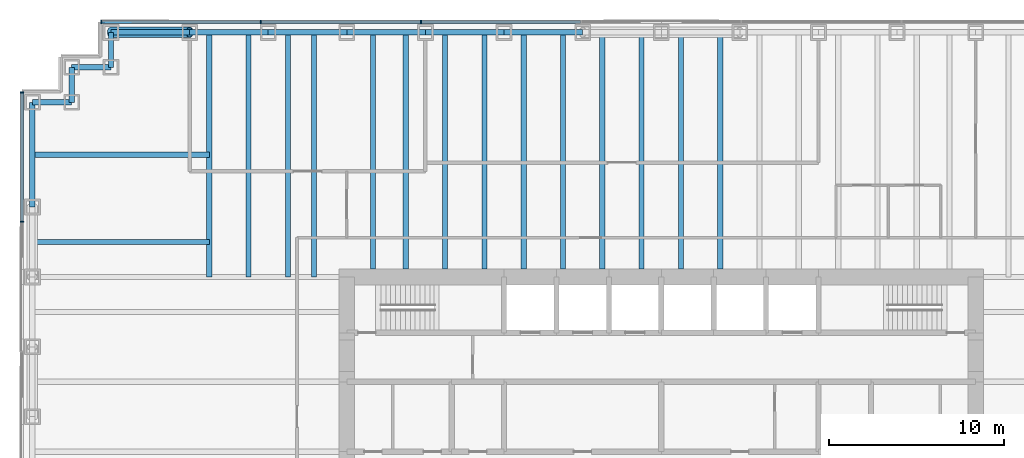
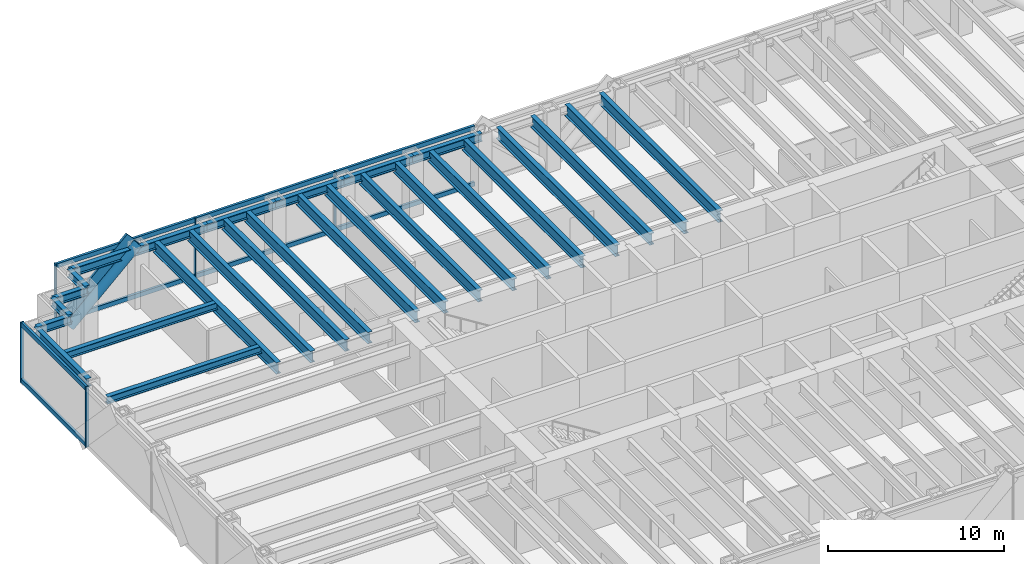
# One storey, part 6 of 15: 27 beams, 15 members, 2 elements without a shape of their own.
"""IFC4 building model written with IfcOpenShell, lengths in metres."""

from ifc_helpers import new_model, si_unit, direction, frame, origin, origin_2d, place, context, subcontext, project, spatial, rectangle, hollow_circle, i_section, extrude, material, material_profile, profile_set, type_object, element, aggregate, save


model = new_model("IFC4")

# Units and contexts
model_context = context("Model", 3, precision=1e-05, world=origin(), true_north=direction((0.0, 1.0)))
body_context = subcontext(model_context, "Body", "Model", "MODEL_VIEW")
ifc_project = project(units=[si_unit("LENGTHUNIT", "METRE"), si_unit("AREAUNIT", "SQUARE_METRE"), si_unit("VOLUMEUNIT", "CUBIC_METRE"), si_unit("PLANEANGLEUNIT", "RADIAN"), si_unit("MASSUNIT", "GRAM", prefix="KILO")], contexts=[model_context])

# Site, building, storey
site_placement = place(None, origin())
site = spatial("IfcSite", under=ifc_project, at=site_placement, CompositionType="ELEMENT")
building_placement = place(site_placement, origin())
building = spatial("IfcBuilding", under=site, at=building_placement, Name="Rheinbord Bourse Tower", CompositionType="ELEMENT")
storey_placement = place(building_placement, frame((0.0, 0.0, 125.699951171875)))
storey = spatial("IfcBuildingStorey", under=building, at=storey_placement, Name="L27", CompositionType="ELEMENT", Elevation=125.699951171875)

# Curtain wall, members
ifc_material_1 = material(Name="Dark glass and black aluminium", Category="aluminium")
curtain_wall_type = type_object("IfcCurtainWallType", Name="CW2 DARK GLASS CURTAIN WALL", PredefinedType="USERDEFINED", material=ifc_material_1)
curtain_wall_1_placement = place(storey_placement, origin())
curtain_wall_1 = element("IfcCurtainWall", 1, at=curtain_wall_1_placement, inside=storey, type_object=curtain_wall_type, Name="Curtain wall CW2 N L27", ObjectType="UNITISED CURTAIN WALL", PredefinedType="USERDEFINED")
ifc_material_2 = material(Name="Black anodised aluminium", Category="aluminium")
ifc_material_profile_1 = material_profile(ifc_material_2, rectangle(XDim=0.159912109375, YDim=1.2099609375, at=origin_2d()), Name="CW2 DIAGONAL MULLION 1210x160")
ifc_profile_set_1 = profile_set([ifc_material_profile_1], Name="Black anodised aluminium")
member_type_1 = type_object("IfcMemberType", Name="CW2 BLACK DIAGONAL MULLION", PredefinedType="USERDEFINED", material=ifc_profile_set_1)
member_1_placement = place(storey_placement, frame((4.5, 46.60009765625, 0.0), z_axis=(0.73105922506, 0.0, 0.682314010889), x_axis=(0.0, 1.0, 0.0)))
member_1 = element("IfcMember", 2, at=member_1_placement, type_object=member_type_1, Name="CW2 diagonal mullion a", ObjectType="DIAGONAL MULLION", PredefinedType="USERDEFINED", context=body_context, shape_type="SweptSolid", body=[
    extrude(rectangle(XDim=0.159912109375, YDim=1.2099609375, at=origin_2d()), origin(), (0.0, 0.0, 1.0), 6.155517578125),
])
ifc_material_3 = material(Name="Black anodised aluminium", Category="aluminium")
ifc_material_profile_2 = material_profile(ifc_material_3, rectangle(XDim=0.219970703125, YDim=0.070068359375, at=origin_2d()), Name="CW2 MULLION 70x220")
ifc_profile_set_2 = profile_set([ifc_material_profile_2], Name="Black anodised aluminium")
member_type_2 = type_object("IfcMemberType", Name="CW2 BLACK MULLION", PredefinedType="MULLION", material=ifc_profile_set_2)
member_2_placement = place(storey_placement, frame((22.242919921875, 46.60009765625, 0.0), z_axis=(0.0, 0.0, 1.0), x_axis=(0.0, -1.0, 0.0)))
member_2 = element("IfcMember", 3, at=member_2_placement, type_object=member_type_2, Name="CW2 mullion 6", PredefinedType="MULLION", context=body_context, shape_type="SweptSolid", body=[
    extrude(rectangle(XDim=0.219970703125, YDim=0.070068359375, at=origin_2d()), origin(), (0.0, 0.0, 1.0), 4.199951171875),
])
member_3_placement = place(storey_placement, frame((13.071533203125, 46.60009765625, 0.0), z_axis=(0.0, 0.0, 1.0), x_axis=(0.0, -1.0, 0.0)))
member_3 = element("IfcMember", 4, at=member_3_placement, type_object=member_type_2, Name="CW2 mullion 7", PredefinedType="MULLION", context=body_context, shape_type="SweptSolid", body=[
    extrude(rectangle(XDim=0.219970703125, YDim=0.070068359375, at=origin_2d()), origin(), (0.0, 0.0, 1.0), 4.199951171875),
])
member_4_placement = place(storey_placement, frame((3.93505859375, 46.60009765625, 0.0), z_axis=(0.0, 0.0, 1.0), x_axis=(0.0, -1.0, 0.0)))
member_4 = element("IfcMember", 5, at=member_4_placement, type_object=member_type_2, Name="CW2 mullion 8", PredefinedType="MULLION", context=body_context, shape_type="SweptSolid", body=[
    extrude(rectangle(XDim=0.219970703125, YDim=0.070068359375, at=origin_2d()), origin(), (0.0, 0.0, 1.0), 4.199951171875),
])

curtain_wall_2_placement = place(storey_placement, origin())
curtain_wall_2 = element("IfcCurtainWall", 6, at=curtain_wall_2_placement, inside=storey, type_object=curtain_wall_type, Name="Curtain wall CW2 W L27", ObjectType="UNITISED CURTAIN WALL", PredefinedType="USERDEFINED")
member_5_placement = place(storey_placement, frame((-0.60009765625, 42.56494140625, 0.0), z_axis=(0.0, 0.0, 1.0), x_axis=(1.0, 0.0, 0.0)))
member_5 = element("IfcMember", 7, at=member_5_placement, type_object=member_type_2, Name="CW2 mullion 1", PredefinedType="MULLION", context=body_context, shape_type="SweptSolid", body=[
    extrude(rectangle(XDim=0.219970703125, YDim=0.070068359375, at=origin_2d()), origin(), (0.0, 0.0, 1.0), 4.199951171875),
])
member_6_placement = place(storey_placement, frame((-0.60009765625, 35.159912109375, 0.0), z_axis=(0.0, 0.0, 1.0), x_axis=(1.0, 0.0, 0.0)))
member_6 = element("IfcMember", 8, at=member_6_placement, type_object=member_type_2, Name="CW2 mullion 2", PredefinedType="MULLION", context=body_context, shape_type="SweptSolid", body=[
    extrude(rectangle(XDim=0.219970703125, YDim=0.070068359375, at=origin_2d()), origin(), (0.0, 0.0, 1.0), 4.199951171875),
])

# Member
ifc_material_4 = material(Name="Black anodised aluminium", Category="aluminium")
ifc_material_profile_3 = material_profile(ifc_material_4, rectangle(XDim=0.159912109375, YDim=0.300048828125, at=origin_2d()), Name="CW2 TRANSOM 300x160")
ifc_profile_set_3 = profile_set([ifc_material_profile_3], Name="Black anodised aluminium")
member_type_3 = type_object("IfcMemberType", Name="CW2 BLACK TRANSOM", PredefinedType="USERDEFINED", material=ifc_profile_set_3)
member_7_placement = place(storey_placement, frame((31.37939453125, 46.60009765625, 0.150146484375), z_axis=(-1.0, 0.0, 0.0), x_axis=(0.0, -1.0, 0.0)))
member_7 = element("IfcMember", 9, at=member_7_placement, type_object=member_type_3, Name="CW2 transom 5.1", ObjectType="TRANSOM", PredefinedType="USERDEFINED", context=body_context, shape_type="SweptSolid", body=[
    extrude(rectangle(XDim=0.159912109375, YDim=0.300048828125, at=origin_2d()), origin(), (0.0, 0.0, 1.0), 9.1015625),
])

member_8_placement = place(storey_placement, frame((31.37939453125, 46.60009765625, 4.050048828125), z_axis=(-1.0, 0.0, 0.0), x_axis=(0.0, -1.0, 0.0)))
member_8 = element("IfcMember", 10, at=member_8_placement, type_object=member_type_3, Name="CW2 transom 5.2", ObjectType="TRANSOM", PredefinedType="USERDEFINED", context=body_context, shape_type="SweptSolid", body=[
    extrude(rectangle(XDim=0.159912109375, YDim=0.300048828125, at=origin_2d()), origin(), (0.0, 0.0, 1.0), 9.1015625),
])

member_9_placement = place(storey_placement, frame((22.207763671875, 46.60009765625, 0.150146484375), z_axis=(-1.0, 0.0, 0.0), x_axis=(0.0, -1.0, 0.0)))
member_9 = element("IfcMember", 11, at=member_9_placement, type_object=member_type_3, Name="CW2 transom 6.1", ObjectType="TRANSOM", PredefinedType="USERDEFINED", context=body_context, shape_type="SweptSolid", body=[
    extrude(rectangle(XDim=0.159912109375, YDim=0.300048828125, at=origin_2d()), origin(), (0.0, 0.0, 1.0), 9.101318359375),
])

member_10_placement = place(storey_placement, frame((22.207763671875, 46.60009765625, 4.050048828125), z_axis=(-1.0, 0.0, 0.0), x_axis=(0.0, -1.0, 0.0)))
member_10 = element("IfcMember", 12, at=member_10_placement, type_object=member_type_3, Name="CW2 transom 6.2", ObjectType="TRANSOM", PredefinedType="USERDEFINED", context=body_context, shape_type="SweptSolid", body=[
    extrude(rectangle(XDim=0.159912109375, YDim=0.300048828125, at=origin_2d()), origin(), (0.0, 0.0, 1.0), 9.101318359375),
])

member_11_placement = place(storey_placement, frame((13.036376953125, 46.60009765625, 0.150146484375), z_axis=(-1.0, 0.0, 0.0), x_axis=(0.0, -1.0, 0.0)))
member_11 = element("IfcMember", 13, at=member_11_placement, type_object=member_type_3, Name="CW2 transom 7.1", ObjectType="TRANSOM", PredefinedType="USERDEFINED", context=body_context, shape_type="SweptSolid", body=[
    extrude(rectangle(XDim=0.159912109375, YDim=0.300048828125, at=origin_2d()), origin(), (0.0, 0.0, 1.0), 9.06640625),
])

member_12_placement = place(storey_placement, frame((13.036376953125, 46.60009765625, 4.050048828125), z_axis=(-1.0, 0.0, 0.0), x_axis=(0.0, -1.0, 0.0)))
member_12 = element("IfcMember", 14, at=member_12_placement, type_object=member_type_3, Name="CW2 transom 7.2", ObjectType="TRANSOM", PredefinedType="USERDEFINED", context=body_context, shape_type="SweptSolid", body=[
    extrude(rectangle(XDim=0.159912109375, YDim=0.300048828125, at=origin_2d()), origin(), (0.0, 0.0, 1.0), 9.06640625),
])

aggregate(curtain_wall_1, [member_2, member_3, member_4, member_7, member_8, member_9, member_10, member_11, member_12, member_1])

member_13_placement = place(storey_placement, frame((-0.60009765625, 42.530029296875, 0.150146484375), z_axis=(0.0, -1.0, 0.0), x_axis=(1.0, 0.0, 0.0)))
member_13 = element("IfcMember", 15, at=member_13_placement, type_object=member_type_3, Name="CW2 transom 1.1", ObjectType="TRANSOM", PredefinedType="USERDEFINED", context=body_context, shape_type="SweptSolid", body=[
    extrude(rectangle(XDim=0.159912109375, YDim=0.300048828125, at=origin_2d()), origin(), (0.0, 0.0, 1.0), 7.3349609375),
])

member_14_placement = place(storey_placement, frame((-0.60009765625, 42.530029296875, 4.050048828125), z_axis=(0.0, -1.0, 0.0), x_axis=(1.0, 0.0, 0.0)))
member_14 = element("IfcMember", 16, at=member_14_placement, type_object=member_type_3, Name="CW2 transom 1.2", ObjectType="TRANSOM", PredefinedType="USERDEFINED", context=body_context, shape_type="SweptSolid", body=[
    extrude(rectangle(XDim=0.159912109375, YDim=0.300048828125, at=origin_2d()), origin(), (0.0, 0.0, 1.0), 7.3349609375),
])

aggregate(curtain_wall_2, [member_5, member_6, member_13, member_14])

# Beams
ifc_material_5 = material(Name="Steel S460", Category="steel")
ifc_material_profile_4 = material_profile(ifc_material_5, i_section(OverallWidth=0.300048828125, OverallDepth=0.800048828125, WebThickness=0.017578125, FlangeThickness=0.032958984375, at=origin_2d()), Name="HEB 800")
ifc_profile_set_4 = profile_set([ifc_material_profile_4], Name="Steel S460")
beam_type_1 = type_object("IfcBeamType", Name="FLOOR BEAM HEB 800", PredefinedType="BEAM", material=ifc_profile_set_4)
for number, where, z_axis, x_axis, name in (
    (17, (10.125, 46.0, 3.64013671875), (0.0, -1.0, 0.0), (1.0, 0.0, 0.0), "Floor beam N-9a L28"),
    (18, (12.375, 46.0, 3.64013671875), (0.0, -1.0, 0.0), (1.0, 0.0, 0.0), "Floor beam N-9b L28"),
    (19, (14.625, 46.0, 3.64013671875), (0.0, -1.0, 0.0), (1.0, 0.0, 0.0), "Floor beam N-13.5a L28"),
    (20, (16.125, 46.0, 3.64013671875), (0.0, -1.0, 0.0), (1.0, 0.0, 0.0), "Floor beam N-13.5b L28"),
):
    element("IfcBeam", number, at=place(storey_placement, frame(where, z_axis=z_axis, x_axis=x_axis)), inside=storey, type_object=beam_type_1, Name=name, PredefinedType="BEAM", context=body_context, shape_type="SweptSolid", body=[
        extrude(i_section(OverallWidth=0.300048828125, OverallDepth=0.800048828125, WebThickness=0.017578125, FlangeThickness=0.032958984375, at=origin_2d()), origin(), (0.0, 0.0, 1.0), 14.0),
    ])
for number, where, z_axis, x_axis, name in (
    (21, (19.5, 46.0, 3.64013671875), (0.0, -1.0, 0.0), (1.0, 0.0, 0.0), "Floor beam N-18a L28"),
    (22, (21.375, 46.0, 3.64013671875), (0.0, -1.0, 0.0), (1.0, 0.0, 0.0), "Floor beam N-18b L28"),
    (23, (23.625, 46.0, 3.64013671875), (0.0, -1.0, 0.0), (1.0, 0.0, 0.0), "Floor beam N-22.5a L28"),
    (24, (25.875, 46.0, 3.64013671875), (0.0, -1.0, 0.0), (1.0, 0.0, 0.0), "Floor beam N-22.5b L28"),
    (25, (28.125, 46.0, 3.64013671875), (0.0, -1.0, 0.0), (1.0, 0.0, 0.0), "Floor beam N-27a L28"),
    (26, (30.375, 46.0, 3.64013671875), (0.0, -1.0, 0.0), (1.0, 0.0, 0.0), "Floor beam N-27b L28"),
    (27, (32.625, 46.0, 3.64013671875), (0.0, -1.0, 0.0), (1.0, 0.0, 0.0), "Floor beam N-31.5a L28"),
    (28, (34.875, 46.0, 3.64013671875), (0.0, -1.0, 0.0), (1.0, 0.0, 0.0), "Floor beam N-31.5b L28"),
    (29, (37.125, 46.0, 3.64013671875), (0.0, -1.0, 0.0), (1.0, 0.0, 0.0), "Floor beam N-36a L28"),
    (30, (39.375, 46.0, 3.64013671875), (0.0, -1.0, 0.0), (1.0, 0.0, 0.0), "Floor beam N-36b L28"),
):
    element("IfcBeam", number, at=place(storey_placement, frame(where, z_axis=z_axis, x_axis=x_axis)), inside=storey, type_object=beam_type_1, Name=name, PredefinedType="BEAM", context=body_context, shape_type="SweptSolid", body=[
        extrude(i_section(OverallWidth=0.300048828125, OverallDepth=0.800048828125, WebThickness=0.017578125, FlangeThickness=0.032958984375, at=origin_2d()), origin(), (0.0, 0.0, 1.0), 13.550048828125),
    ])

# Member
ifc_material_6 = material(Name="Steel S460", Category="steel")
ifc_material_profile_5 = material_profile(ifc_material_6, hollow_circle(Radius=0.304931640625, WallThickness=0.0400390625, at=origin_2d()), Name="CHS 610x40")
ifc_profile_set_5 = profile_set([ifc_material_profile_5], Name="Steel S460")
member_type_4 = type_object("IfcMemberType", Name="MEGABRACE CHS 610x40", PredefinedType="BRACE", material=ifc_profile_set_5)
member_15_placement = place(storey_placement, frame((4.5, 46.0, 0.0), z_axis=(0.73105922506, 0.0, 0.682314010889), x_axis=(0.0, 1.0, 0.0)))
element("IfcMember", 31, at=member_15_placement, inside=storey, type_object=member_type_4, Name="Megabrace N face line a L27", PredefinedType="BRACE", context=body_context, shape_type="SweptSolid", body=[
    extrude(hollow_circle(Radius=0.304931640625, WallThickness=0.0400390625, at=origin_2d()), origin(), (0.0, 0.0, 1.0), 6.155517578125),
])

# Beams
ifc_material_7 = material(Name="Steel S460", Category="steel")
ifc_material_profile_6 = material_profile(ifc_material_7, i_section(OverallWidth=0.305908203125, OverallDepth=0.572021484375, WebThickness=0.02099609375, FlangeThickness=0.0400390625, at=origin_2d()), Name="HEM 550")
ifc_profile_set_6 = profile_set([ifc_material_profile_6], Name="Steel S460")
beam_type_2 = type_object("IfcBeamType", Name="SPANDREL HEM 550", PredefinedType="SPANDREL", material=ifc_profile_set_6)
for number, where, z_axis, x_axis, name in (
    (32, (31.5, 46.0, 3.754150390625), (-1.0, 0.0, 0.0), (0.0, -1.0, 0.0), "Spandrel N-31.5-N-27 under L28"),
    (33, (27.0, 46.0, 3.754150390625), (-1.0, 0.0, 0.0), (0.0, -1.0, 0.0), "Spandrel N-27-N-22.5 under L28"),
    (34, (22.5, 46.0, 3.754150390625), (-1.0, 0.0, 0.0), (0.0, -1.0, 0.0), "Spandrel N-22.5-N-18 under L28"),
    (35, (18.0, 46.0, 3.754150390625), (-1.0, 0.0, 0.0), (0.0, -1.0, 0.0), "Spandrel N-18-N-13.5 under L28"),
    (36, (13.5, 46.0, 3.754150390625), (-1.0, 0.0, 0.0), (0.0, -1.0, 0.0), "Spandrel N-13.5-N-9 under L28"),
    (37, (9.0, 46.0, 3.754150390625), (-1.0, 0.0, 0.0), (0.0, -1.0, 0.0), "Spandrel N-9-NW-E under L28"),
):
    element("IfcBeam", number, at=place(storey_placement, frame(where, z_axis=z_axis, x_axis=x_axis)), inside=storey, type_object=beam_type_2, Name=name, PredefinedType="SPANDREL", context=body_context, shape_type="SweptSolid", body=[
        extrude(i_section(OverallWidth=0.305908203125, OverallDepth=0.572021484375, WebThickness=0.02099609375, FlangeThickness=0.0400390625, at=origin_2d()), origin(), (0.0, 0.0, 1.0), 4.5),
    ])
beam_1_placement = place(storey_placement, frame((4.5, 46.0, 3.754150390625), z_axis=(0.0, -1.0, 0.0), x_axis=(1.0, 0.0, 0.0)))
element("IfcBeam", 38, at=beam_1_placement, inside=storey, type_object=beam_type_2, Name="Spandrel NW-E-NW-D under L28", PredefinedType="SPANDREL", context=body_context, shape_type="SweptSolid", body=[
    extrude(i_section(OverallWidth=0.305908203125, OverallDepth=0.572021484375, WebThickness=0.02099609375, FlangeThickness=0.0400390625, at=origin_2d()), origin(), (0.0, 0.0, 1.0), 2.0),
])
beam_2_placement = place(storey_placement, frame((4.5, 44.0, 3.754150390625), z_axis=(-1.0, 0.0, 0.0), x_axis=(0.0, -1.0, 0.0)))
element("IfcBeam", 39, at=beam_2_placement, inside=storey, type_object=beam_type_2, Name="Spandrel NW-D-NW-C under L28", PredefinedType="SPANDREL", context=body_context, shape_type="SweptSolid", body=[
    extrude(i_section(OverallWidth=0.305908203125, OverallDepth=0.572021484375, WebThickness=0.02099609375, FlangeThickness=0.0400390625, at=origin_2d()), origin(), (0.0, 0.0, 1.0), 2.25),
])
beam_3_placement = place(storey_placement, frame((2.25, 44.0, 3.754150390625), z_axis=(0.0, -1.0, 0.0), x_axis=(1.0, 0.0, 0.0)))
element("IfcBeam", 40, at=beam_3_placement, inside=storey, type_object=beam_type_2, Name="Spandrel NW-C-NW-B under L28", PredefinedType="SPANDREL", context=body_context, shape_type="SweptSolid", body=[
    extrude(i_section(OverallWidth=0.305908203125, OverallDepth=0.572021484375, WebThickness=0.02099609375, FlangeThickness=0.0400390625, at=origin_2d()), origin(), (0.0, 0.0, 1.0), 2.0),
])
beam_4_placement = place(storey_placement, frame((2.25, 42.0, 3.754150390625), z_axis=(-1.0, 0.0, 0.0), x_axis=(0.0, -1.0, 0.0)))
element("IfcBeam", 41, at=beam_4_placement, inside=storey, type_object=beam_type_2, Name="Spandrel NW-B-NW-A under L28", PredefinedType="SPANDREL", context=body_context, shape_type="SweptSolid", body=[
    extrude(i_section(OverallWidth=0.305908203125, OverallDepth=0.572021484375, WebThickness=0.02099609375, FlangeThickness=0.0400390625, at=origin_2d()), origin(), (0.0, 0.0, 1.0), 2.25),
])
beam_5_placement = place(storey_placement, frame((0.0, 42.0, 3.754150390625), z_axis=(0.0, -1.0, 0.0), x_axis=(1.0, 0.0, 0.0)))
element("IfcBeam", 42, at=beam_5_placement, inside=storey, type_object=beam_type_2, Name="Spandrel NW-A-W-36 under L28", PredefinedType="SPANDREL", context=body_context, shape_type="SweptSolid", body=[
    extrude(i_section(OverallWidth=0.305908203125, OverallDepth=0.572021484375, WebThickness=0.02099609375, FlangeThickness=0.0400390625, at=origin_2d()), origin(), (0.0, 0.0, 1.0), 6.0),
])
ifc_material_8 = material(Name="Steel S460", Category="steel")
ifc_material_profile_7 = material_profile(ifc_material_8, i_section(OverallWidth=0.300048828125, OverallDepth=0.5, WebThickness=0.014404296875, FlangeThickness=0.028076171875, at=origin_2d()), Name="HEB 500")
ifc_profile_set_7 = profile_set([ifc_material_profile_7], Name="Steel S460")
beam_type_3 = type_object("IfcBeamType", Name="TIE BEAM HEB 500", PredefinedType="JOIST", material=ifc_profile_set_7)
for number, where, z_axis, x_axis, name in (
    (43, (0.0, 34.0, 3.7900390625), (1.0, 0.0, 0.0), (0.0, 1.0, 0.0), "Tie west 34 L28"),
    (44, (0.0, 39.0, 3.7900390625), (1.0, 0.0, 0.0), (0.0, 1.0, 0.0), "Tie west 39 L28"),
):
    element("IfcBeam", number, at=place(storey_placement, frame(where, z_axis=z_axis, x_axis=x_axis)), inside=storey, type_object=beam_type_3, Name=name, PredefinedType="JOIST", context=body_context, shape_type="SweptSolid", body=[
        extrude(i_section(OverallWidth=0.300048828125, OverallDepth=0.5, WebThickness=0.014404296875, FlangeThickness=0.028076171875, at=origin_2d()), origin(), (0.0, 0.0, 1.0), 10.125),
    ])

save(model, "model.ifc")
